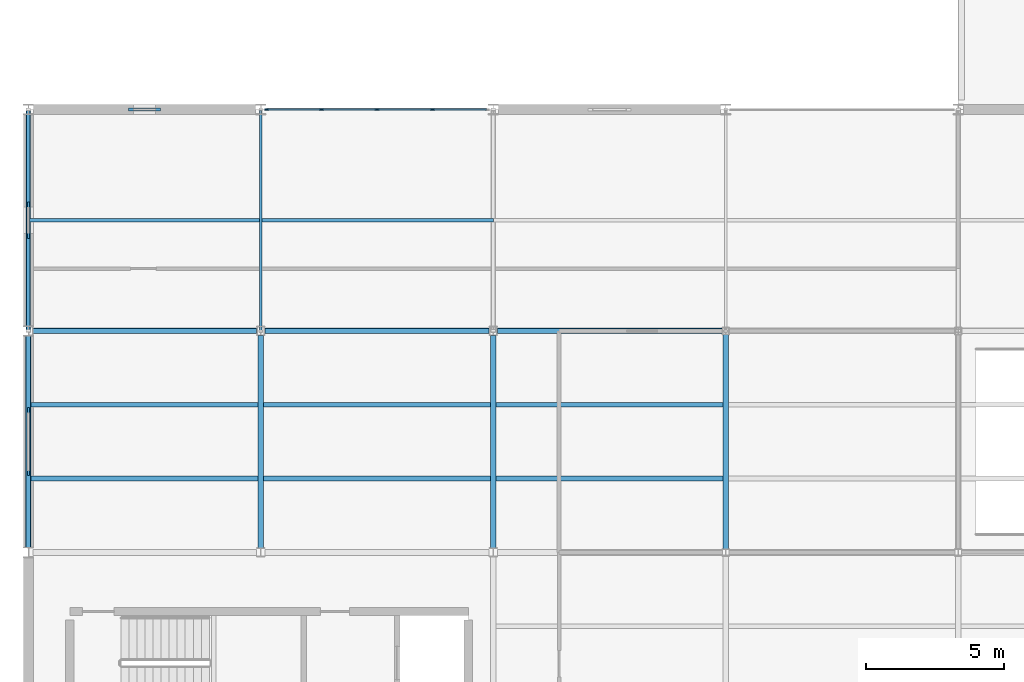
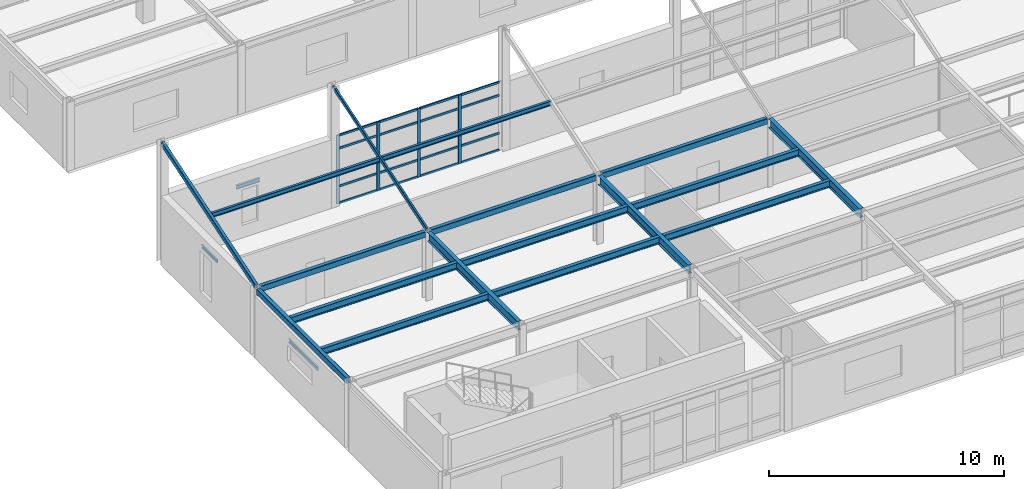
# One storey, part 12 of 96: 24 members, 16 beams, 1 element without a shape of its own.
"""IFC4 building model written with IfcOpenShell, lengths in metres."""

from ifc_helpers import new_model, si_unit, direction, frame, origin, origin_2d, place, context, subcontext, project, spatial, rectangle, hollow_rectangle, i_section, u_section, extrude, material, layer, layer_set, material_profile, profile_set, type_object, element, aggregate, save


model = new_model("IFC4")

# Units and contexts
model_context = context("Model", 3, precision=1e-05, world=origin(), true_north=direction((0.0, 1.0)))
body_context = subcontext(model_context, "Body", "Model", "MODEL_VIEW")
ifc_project = project(units=[si_unit("LENGTHUNIT", "METRE"), si_unit("AREAUNIT", "SQUARE_METRE"), si_unit("VOLUMEUNIT", "CUBIC_METRE"), si_unit("PLANEANGLEUNIT", "RADIAN"), si_unit("MASSUNIT", "GRAM", prefix="KILO")], contexts=[model_context])

# Site, building, storey
site_placement = place(None, origin())
site = spatial("IfcSite", under=ifc_project, at=site_placement, CompositionType="ELEMENT")
building_placement = place(site_placement, origin())
building = spatial("IfcBuilding", under=site, at=building_placement, Name="Kranzveld Transit Interchange", CompositionType="ELEMENT")
storey_placement = place(building_placement, frame((0.0, 0.0, 9.52001953125)))
storey = spatial("IfcBuildingStorey", under=building, at=storey_placement, Name="L02", CompositionType="ELEMENT", Elevation=9.52001953125)

# Beams
ifc_material_1 = material(Name="Steel S355JR", Category="steel")
ifc_material_profile_1 = material_profile(ifc_material_1, i_section(OverallWidth=0.19189453125, OverallDepth=0.46337890625, WebThickness=0.010498046875, FlangeThickness=0.017578125, FilletRadius=0.01025390625, at=origin_2d()), Name="UB 457x191x89")
ifc_profile_set_1 = profile_set([ifc_material_profile_1], Name="Steel S355JR")
beam_type_1 = type_object("IfcBeamType", Name="Beam Steel UB 457x191x89 S355JR", PredefinedType="BEAM", material=ifc_profile_set_1)
for number, where, z_axis, x_axis, name in (
    (1, (8.39990234375, 24.159912109375, 3.33837890625), (0.0, 1.0, 0.0), (-1.0, 0.0, 0.0), "L02 Girder 02/D-E"),
    (2, (16.800048828125, 24.159912109375, 3.33837890625), (0.0, 1.0, 0.0), (-1.0, 0.0, 0.0), "L02 Girder 03/D-E"),
):
    element("IfcBeam", number, at=place(storey_placement, frame(where, z_axis=z_axis, x_axis=x_axis)), inside=storey, type_object=beam_type_1, Name=name, PredefinedType="BEAM", context=body_context, shape_type="SweptSolid", body=[
        extrude(i_section(OverallWidth=0.19189453125, OverallDepth=0.46337890625, WebThickness=0.010498046875, FlangeThickness=0.017578125, FilletRadius=0.01025390625, at=origin_2d()), origin(), (0.0, 0.0, 1.0), 7.68017578125),
    ])
beam_1_placement = place(storey_placement, frame((25.199951171875, 24.123291015625, 3.33837890625), z_axis=(0.0, 1.0, 0.0), x_axis=(-1.0, 0.0, 0.0)))
element("IfcBeam", 3, at=beam_1_placement, inside=storey, type_object=beam_type_1, Name="L02 Girder 04/D-E", PredefinedType="BEAM", context=body_context, shape_type="SweptSolid", body=[
    extrude(i_section(OverallWidth=0.19189453125, OverallDepth=0.46337890625, WebThickness=0.010498046875, FlangeThickness=0.017578125, FilletRadius=0.01025390625, at=origin_2d()), origin(), (0.0, 0.0, 1.0), 7.75341796875),
])

# Curtain wall, members
ifc_material_2 = material(Name="Bronze-anodised thermally broken aluminium", Category="aluminium")
ifc_layer = layer(ifc_material_2, 0.159912109375)
ifc_layer_set = layer_set([ifc_layer], Name="Bronze-anodised thermally broken aluminium")
curtain_wall_type = type_object("IfcCurtainWallType", Name="Bus Boarding Glazed Screen CW-3", PredefinedType="USERDEFINED", material=ifc_layer_set)
curtain_wall_placement = place(storey_placement, origin())
curtain_wall = element("IfcCurtainWall", 4, at=curtain_wall_placement, inside=storey, type_object=curtain_wall_type, Name="L02 Curtain Wall 02/F-03/F", ObjectType="CURTAIN WALL", PredefinedType="USERDEFINED")
ifc_material_3 = material(Name="Bronze-anodised thermally broken aluminium", Category="aluminium")
ifc_material_profile_2 = material_profile(ifc_material_3, rectangle(XDim=0.06005859375, YDim=0.14990234375, at=origin_2d()), Name="ALU MULLION 60x150")
ifc_profile_set_2 = profile_set([ifc_material_profile_2], Name="Bronze-anodised thermally broken aluminium")
member_type_1 = type_object("IfcMemberType", Name="Curtain Wall Mullion 60x150 Alu", PredefinedType="MULLION", material=ifc_profile_set_2)
member_1_placement = place(storey_placement, frame((8.6171875, 40.0, 0.0), z_axis=(0.0, 0.0, 1.0), x_axis=(0.0, 1.0, 0.0)))
member_1 = element("IfcMember", 5, at=member_1_placement, type_object=member_type_1, Name="CW-3 mullion 1", PredefinedType="MULLION", context=body_context, shape_type="SweptSolid", body=[
    extrude(rectangle(XDim=0.06005859375, YDim=0.14990234375, at=origin_2d()), origin(), (0.0, 0.0, 1.0), 3.570068359375),
])
member_2_placement = place(storey_placement, frame((10.59375, 40.0, 0.0), z_axis=(0.0, 0.0, 1.0), x_axis=(0.0, 1.0, 0.0)))
member_2 = element("IfcMember", 6, at=member_2_placement, type_object=member_type_1, Name="CW-3 mullion 2", PredefinedType="MULLION", context=body_context, shape_type="SweptSolid", body=[
    extrude(rectangle(XDim=0.06005859375, YDim=0.14990234375, at=origin_2d()), origin(), (0.0, 0.0, 1.0), 3.570068359375),
])
member_3_placement = place(storey_placement, frame((12.60009765625, 40.0, 0.0), z_axis=(0.0, 0.0, 1.0), x_axis=(0.0, 1.0, 0.0)))
member_3 = element("IfcMember", 7, at=member_3_placement, type_object=member_type_1, Name="CW-3 mullion 3", PredefinedType="MULLION", context=body_context, shape_type="SweptSolid", body=[
    extrude(rectangle(XDim=0.06005859375, YDim=0.14990234375, at=origin_2d()), origin(), (0.0, 0.0, 1.0), 3.570068359375),
])
member_4_placement = place(storey_placement, frame((14.6064453125, 40.0, 0.0), z_axis=(0.0, 0.0, 1.0), x_axis=(0.0, 1.0, 0.0)))
member_4 = element("IfcMember", 8, at=member_4_placement, type_object=member_type_1, Name="CW-3 mullion 4", PredefinedType="MULLION", context=body_context, shape_type="SweptSolid", body=[
    extrude(rectangle(XDim=0.06005859375, YDim=0.14990234375, at=origin_2d()), origin(), (0.0, 0.0, 1.0), 3.570068359375),
])
ifc_material_4 = material(Name="Bronze-anodised thermally broken aluminium", Category="aluminium")
ifc_material_profile_3 = material_profile(ifc_material_4, rectangle(XDim=0.06005859375, YDim=0.110107421875, at=origin_2d()), Name="ALU TRANSOM 60x110")
ifc_profile_set_3 = profile_set([ifc_material_profile_3], Name="Bronze-anodised thermally broken aluminium")
member_type_2 = type_object("IfcMemberType", Name="Curtain Wall Transom 60x110 Alu", PredefinedType="USERDEFINED", material=ifc_profile_set_3)
member_5_placement = place(storey_placement, frame((8.647216796875, 40.0, 0.030029296875), z_axis=(1.0, 0.0, 0.0), x_axis=(0.0, 1.0, 0.0)))
member_5 = element("IfcMember", 9, at=member_5_placement, type_object=member_type_2, Name="CW-3 transom 1.1", ObjectType="TRANSOM", PredefinedType="USERDEFINED", context=body_context, shape_type="SweptSolid", body=[
    extrude(rectangle(XDim=0.06005859375, YDim=0.110107421875, at=origin_2d()), origin(), (0.0, 0.0, 1.0), 1.91650390625),
])
member_6_placement = place(storey_placement, frame((8.647216796875, 40.0, 0.89990234375), z_axis=(1.0, 0.0, 0.0), x_axis=(0.0, 1.0, 0.0)))
member_6 = element("IfcMember", 10, at=member_6_placement, type_object=member_type_2, Name="CW-3 transom 1.2", ObjectType="TRANSOM", PredefinedType="USERDEFINED", context=body_context, shape_type="SweptSolid", body=[
    extrude(rectangle(XDim=0.06005859375, YDim=0.110107421875, at=origin_2d()), origin(), (0.0, 0.0, 1.0), 1.91650390625),
])
member_7_placement = place(storey_placement, frame((8.647216796875, 40.0, 2.869873046875), z_axis=(1.0, 0.0, 0.0), x_axis=(0.0, 1.0, 0.0)))
member_7 = element("IfcMember", 11, at=member_7_placement, type_object=member_type_2, Name="CW-3 transom 1.3", ObjectType="TRANSOM", PredefinedType="USERDEFINED", context=body_context, shape_type="SweptSolid", body=[
    extrude(rectangle(XDim=0.06005859375, YDim=0.110107421875, at=origin_2d()), origin(), (0.0, 0.0, 1.0), 1.91650390625),
])
member_8_placement = place(storey_placement, frame((8.647216796875, 40.0, 3.5400390625), z_axis=(1.0, 0.0, 0.0), x_axis=(0.0, 1.0, 0.0)))
member_8 = element("IfcMember", 12, at=member_8_placement, type_object=member_type_2, Name="CW-3 transom 1.4", ObjectType="TRANSOM", PredefinedType="USERDEFINED", context=body_context, shape_type="SweptSolid", body=[
    extrude(rectangle(XDim=0.06005859375, YDim=0.110107421875, at=origin_2d()), origin(), (0.0, 0.0, 1.0), 1.91650390625),
])
member_9_placement = place(storey_placement, frame((10.62353515625, 40.0, 0.030029296875), z_axis=(1.0, 0.0, 0.0), x_axis=(0.0, 1.0, 0.0)))
member_9 = element("IfcMember", 13, at=member_9_placement, type_object=member_type_2, Name="CW-3 transom 2.1", ObjectType="TRANSOM", PredefinedType="USERDEFINED", context=body_context, shape_type="SweptSolid", body=[
    extrude(rectangle(XDim=0.06005859375, YDim=0.110107421875, at=origin_2d()), origin(), (0.0, 0.0, 1.0), 1.946533203125),
])
member_10_placement = place(storey_placement, frame((10.62353515625, 40.0, 0.89990234375), z_axis=(1.0, 0.0, 0.0), x_axis=(0.0, 1.0, 0.0)))
member_10 = element("IfcMember", 14, at=member_10_placement, type_object=member_type_2, Name="CW-3 transom 2.2", ObjectType="TRANSOM", PredefinedType="USERDEFINED", context=body_context, shape_type="SweptSolid", body=[
    extrude(rectangle(XDim=0.06005859375, YDim=0.110107421875, at=origin_2d()), origin(), (0.0, 0.0, 1.0), 1.946533203125),
])
member_11_placement = place(storey_placement, frame((10.62353515625, 40.0, 2.869873046875), z_axis=(1.0, 0.0, 0.0), x_axis=(0.0, 1.0, 0.0)))
member_11 = element("IfcMember", 15, at=member_11_placement, type_object=member_type_2, Name="CW-3 transom 2.3", ObjectType="TRANSOM", PredefinedType="USERDEFINED", context=body_context, shape_type="SweptSolid", body=[
    extrude(rectangle(XDim=0.06005859375, YDim=0.110107421875, at=origin_2d()), origin(), (0.0, 0.0, 1.0), 1.946533203125),
])
member_12_placement = place(storey_placement, frame((10.62353515625, 40.0, 3.5400390625), z_axis=(1.0, 0.0, 0.0), x_axis=(0.0, 1.0, 0.0)))
member_12 = element("IfcMember", 16, at=member_12_placement, type_object=member_type_2, Name="CW-3 transom 2.4", ObjectType="TRANSOM", PredefinedType="USERDEFINED", context=body_context, shape_type="SweptSolid", body=[
    extrude(rectangle(XDim=0.06005859375, YDim=0.110107421875, at=origin_2d()), origin(), (0.0, 0.0, 1.0), 1.946533203125),
])
member_13_placement = place(storey_placement, frame((12.6298828125, 40.0, 0.030029296875), z_axis=(1.0, 0.0, 0.0), x_axis=(0.0, 1.0, 0.0)))
member_13 = element("IfcMember", 17, at=member_13_placement, type_object=member_type_2, Name="CW-3 transom 3.1", ObjectType="TRANSOM", PredefinedType="USERDEFINED", context=body_context, shape_type="SweptSolid", body=[
    extrude(rectangle(XDim=0.06005859375, YDim=0.110107421875, at=origin_2d()), origin(), (0.0, 0.0, 1.0), 1.946533203125),
])
member_14_placement = place(storey_placement, frame((12.6298828125, 40.0, 0.89990234375), z_axis=(1.0, 0.0, 0.0), x_axis=(0.0, 1.0, 0.0)))
member_14 = element("IfcMember", 18, at=member_14_placement, type_object=member_type_2, Name="CW-3 transom 3.2", ObjectType="TRANSOM", PredefinedType="USERDEFINED", context=body_context, shape_type="SweptSolid", body=[
    extrude(rectangle(XDim=0.06005859375, YDim=0.110107421875, at=origin_2d()), origin(), (0.0, 0.0, 1.0), 1.946533203125),
])
member_15_placement = place(storey_placement, frame((12.6298828125, 40.0, 2.869873046875), z_axis=(1.0, 0.0, 0.0), x_axis=(0.0, 1.0, 0.0)))
member_15 = element("IfcMember", 19, at=member_15_placement, type_object=member_type_2, Name="CW-3 transom 3.3", ObjectType="TRANSOM", PredefinedType="USERDEFINED", context=body_context, shape_type="SweptSolid", body=[
    extrude(rectangle(XDim=0.06005859375, YDim=0.110107421875, at=origin_2d()), origin(), (0.0, 0.0, 1.0), 1.946533203125),
])
member_16_placement = place(storey_placement, frame((12.6298828125, 40.0, 3.5400390625), z_axis=(1.0, 0.0, 0.0), x_axis=(0.0, 1.0, 0.0)))
member_16 = element("IfcMember", 20, at=member_16_placement, type_object=member_type_2, Name="CW-3 transom 3.4", ObjectType="TRANSOM", PredefinedType="USERDEFINED", context=body_context, shape_type="SweptSolid", body=[
    extrude(rectangle(XDim=0.06005859375, YDim=0.110107421875, at=origin_2d()), origin(), (0.0, 0.0, 1.0), 1.946533203125),
])
member_17_placement = place(storey_placement, frame((14.63623046875, 40.0, 0.030029296875), z_axis=(1.0, 0.0, 0.0), x_axis=(0.0, 1.0, 0.0)))
member_17 = element("IfcMember", 21, at=member_17_placement, type_object=member_type_2, Name="CW-3 transom 4.1", ObjectType="TRANSOM", PredefinedType="USERDEFINED", context=body_context, shape_type="SweptSolid", body=[
    extrude(rectangle(XDim=0.06005859375, YDim=0.110107421875, at=origin_2d()), origin(), (0.0, 0.0, 1.0), 1.91650390625),
])
member_18_placement = place(storey_placement, frame((14.63623046875, 40.0, 0.89990234375), z_axis=(1.0, 0.0, 0.0), x_axis=(0.0, 1.0, 0.0)))
member_18 = element("IfcMember", 22, at=member_18_placement, type_object=member_type_2, Name="CW-3 transom 4.2", ObjectType="TRANSOM", PredefinedType="USERDEFINED", context=body_context, shape_type="SweptSolid", body=[
    extrude(rectangle(XDim=0.06005859375, YDim=0.110107421875, at=origin_2d()), origin(), (0.0, 0.0, 1.0), 1.91650390625),
])
member_19_placement = place(storey_placement, frame((14.63623046875, 40.0, 2.869873046875), z_axis=(1.0, 0.0, 0.0), x_axis=(0.0, 1.0, 0.0)))
member_19 = element("IfcMember", 23, at=member_19_placement, type_object=member_type_2, Name="CW-3 transom 4.3", ObjectType="TRANSOM", PredefinedType="USERDEFINED", context=body_context, shape_type="SweptSolid", body=[
    extrude(rectangle(XDim=0.06005859375, YDim=0.110107421875, at=origin_2d()), origin(), (0.0, 0.0, 1.0), 1.91650390625),
])
member_20_placement = place(storey_placement, frame((14.63623046875, 40.0, 3.5400390625), z_axis=(1.0, 0.0, 0.0), x_axis=(0.0, 1.0, 0.0)))
member_20 = element("IfcMember", 24, at=member_20_placement, type_object=member_type_2, Name="CW-3 transom 4.4", ObjectType="TRANSOM", PredefinedType="USERDEFINED", context=body_context, shape_type="SweptSolid", body=[
    extrude(rectangle(XDim=0.06005859375, YDim=0.110107421875, at=origin_2d()), origin(), (0.0, 0.0, 1.0), 1.91650390625),
])
aggregate(curtain_wall, [member_1, member_2, member_3, member_4, member_5, member_6, member_7, member_8, member_9, member_10, member_11, member_12, member_13, member_14, member_15, member_16, member_17, member_18, member_19, member_20])

# Beams
ifc_material_5 = material(Name="Steel S355JR", Category="steel")
ifc_material_profile_4 = material_profile(ifc_material_5, hollow_rectangle(XDim=0.199951171875, YDim=0.300048828125, WallThickness=0.010009765625, InnerFilletRadius=0.014892578125, OuterFilletRadius=0.02490234375, at=origin_2d()), Name="RHS 300x200x10")
ifc_profile_set_4 = profile_set([ifc_material_profile_4], Name="Steel S355JR")
beam_type_2 = type_object("IfcBeamType", Name="Edge Spandrel RHS 300x200x10 S355JR", PredefinedType="SPANDREL", material=ifc_profile_set_4)
beam_2_placement = place(storey_placement, frame((0.17724609375, 32.0, 3.419921875), z_axis=(1.0, 0.0, 0.0), x_axis=(0.0, 1.0, 0.0)))
element("IfcBeam", 25, at=beam_2_placement, inside=storey, type_object=beam_type_2, Name="L02 Girder 01-02/E", PredefinedType="SPANDREL", context=body_context, shape_type="SweptSolid", body=[
    extrude(hollow_rectangle(XDim=0.199951171875, YDim=0.300048828125, WallThickness=0.010009765625, InnerFilletRadius=0.014892578125, OuterFilletRadius=0.02490234375, at=origin_2d()), origin(), (0.0, 0.0, 1.0), 8.075439453125),
])
beam_3_placement = place(storey_placement, frame((8.547119140625, 32.0, 3.419921875), z_axis=(1.0, 0.0, 0.0), x_axis=(0.0, 1.0, 0.0)))
element("IfcBeam", 26, at=beam_3_placement, inside=storey, type_object=beam_type_2, Name="L02 Girder 02-03/E", PredefinedType="SPANDREL", context=body_context, shape_type="SweptSolid", body=[
    extrude(hollow_rectangle(XDim=0.199951171875, YDim=0.300048828125, WallThickness=0.010009765625, InnerFilletRadius=0.014892578125, OuterFilletRadius=0.02490234375, at=origin_2d()), origin(), (0.0, 0.0, 1.0), 8.105712890625),
])
beam_4_placement = place(storey_placement, frame((16.947265625, 32.0, 3.419921875), z_axis=(1.0, 0.0, 0.0), x_axis=(0.0, 1.0, 0.0)))
element("IfcBeam", 27, at=beam_4_placement, inside=storey, type_object=beam_type_2, Name="L02 Girder 03-04/E", PredefinedType="SPANDREL", context=body_context, shape_type="SweptSolid", body=[
    extrude(hollow_rectangle(XDim=0.199951171875, YDim=0.300048828125, WallThickness=0.010009765625, InnerFilletRadius=0.014892578125, OuterFilletRadius=0.02490234375, at=origin_2d()), origin(), (0.0, 0.0, 1.0), 8.13330078125),
])
beam_5_placement = place(storey_placement, frame((0.0, 24.17724609375, 3.419921875), z_axis=(0.0, 1.0, 0.0), x_axis=(-1.0, 0.0, 0.0)))
element("IfcBeam", 28, at=beam_5_placement, inside=storey, type_object=beam_type_2, Name="L02 Girder 01/D-E", PredefinedType="SPANDREL", context=body_context, shape_type="SweptSolid", body=[
    extrude(hollow_rectangle(XDim=0.199951171875, YDim=0.300048828125, WallThickness=0.010009765625, InnerFilletRadius=0.014892578125, OuterFilletRadius=0.02490234375, at=origin_2d()), origin(), (0.0, 0.0, 1.0), 7.6455078125),
])
ifc_material_6 = material(Name="Steel S355JR", Category="steel")
ifc_material_profile_5 = material_profile(ifc_material_6, i_section(OverallWidth=0.171142578125, OverallDepth=0.351318359375, WebThickness=0.007080078125, FlangeThickness=0.009765625, FilletRadius=0.01025390625, at=origin_2d()), Name="UB 356x171x45")
ifc_profile_set_5 = profile_set([ifc_material_profile_5], Name="Steel S355JR")
beam_type_3 = type_object("IfcBeamType", Name="Floor Joist UB 356x171x45 S355JR", PredefinedType="JOIST", material=ifc_profile_set_5)
for number, where, z_axis, x_axis, name in (
    (29, (0.10205078125, 26.666748046875, 3.394287109375), (1.0, 0.0, 0.0), (0.0, 1.0, 0.0), "L02 Secondary Joist 01-02/D.1"),
    (30, (0.10205078125, 29.333251953125, 3.394287109375), (1.0, 0.0, 0.0), (0.0, 1.0, 0.0), "L02 Secondary Joist 01-02/D.2"),
):
    element("IfcBeam", number, at=place(storey_placement, frame(where, z_axis=z_axis, x_axis=x_axis)), inside=storey, type_object=beam_type_3, Name=name, PredefinedType="JOIST", context=body_context, shape_type="SweptSolid", body=[
        extrude(i_section(OverallWidth=0.171142578125, OverallDepth=0.351318359375, WebThickness=0.007080078125, FlangeThickness=0.009765625, FilletRadius=0.01025390625, at=origin_2d()), origin(), (0.0, 0.0, 1.0), 8.199951171875),
    ])
for number, where, z_axis, x_axis, name in (
    (31, (8.498046875, 26.666748046875, 3.394287109375), (1.0, 0.0, 0.0), (0.0, 1.0, 0.0), "L02 Secondary Joist 02-03/D.1"),
    (32, (8.498046875, 29.333251953125, 3.394287109375), (1.0, 0.0, 0.0), (0.0, 1.0, 0.0), "L02 Secondary Joist 02-03/D.2"),
    (33, (16.89794921875, 26.666748046875, 3.394287109375), (1.0, 0.0, 0.0), (0.0, 1.0, 0.0), "L02 Secondary Joist 03-04/D.1"),
    (34, (16.89794921875, 29.333251953125, 3.394287109375), (1.0, 0.0, 0.0), (0.0, 1.0, 0.0), "L02 Secondary Joist 03-04/D.2"),
):
    element("IfcBeam", number, at=place(storey_placement, frame(where, z_axis=z_axis, x_axis=x_axis)), inside=storey, type_object=beam_type_3, Name=name, PredefinedType="JOIST", context=body_context, shape_type="SweptSolid", body=[
        extrude(i_section(OverallWidth=0.171142578125, OverallDepth=0.351318359375, WebThickness=0.007080078125, FlangeThickness=0.009765625, FilletRadius=0.01025390625, at=origin_2d()), origin(), (0.0, 0.0, 1.0), 8.2041015625),
    ])
ifc_material_7 = material(Name="Steel S355JR", Category="steel")
ifc_material_profile_6 = material_profile(ifc_material_7, u_section(Depth=0.179931640625, FlangeWidth=0.070068359375, WebThickness=0.007080078125, FlangeThickness=0.010986328125, FilletRadius=0.010009765625, at=origin_2d()), Name="PFC 180x70x22")
ifc_profile_set_6 = profile_set([ifc_material_profile_6], Name="Steel S355JR")
beam_type_4 = type_object("IfcBeamType", Name="Masonry Lintel PFC 180x70x22 S355JR", PredefinedType="LINTEL", material=ifc_profile_set_6)
beam_6_placement = place(storey_placement, frame((0.0, 35.344970703125, 2.844970703125), z_axis=(0.0, 1.0, 0.0), x_axis=(-1.0, 0.0, 0.0)))
element("IfcBeam", 35, at=beam_6_placement, inside=storey, type_object=beam_type_4, Name="L02 Window Lintel 117", PredefinedType="LINTEL", context=body_context, shape_type="SweptSolid", body=[
    extrude(u_section(Depth=0.179931640625, FlangeWidth=0.070068359375, WebThickness=0.007080078125, FlangeThickness=0.010986328125, FilletRadius=0.010009765625, at=origin_2d()), origin(), (0.0, 0.0, 1.0), 1.31005859375),
])
ifc_material_8 = material(Name="Steel S355JR", Category="steel")
ifc_material_profile_7 = material_profile(ifc_material_8, u_section(Depth=0.199951171875, FlangeWidth=0.074951171875, WebThickness=0.006103515625, FlangeThickness=0.012451171875, FilletRadius=0.011962890625, at=origin_2d()), Name="PFC 200x75x23")
ifc_profile_set_7 = profile_set([ifc_material_profile_7], Name="Steel S355JR")
beam_type_5 = type_object("IfcBeamType", Name="Masonry Lintel PFC 200x75x23 S355JR", PredefinedType="LINTEL", material=ifc_profile_set_7)
beam_7_placement = place(storey_placement, frame((0.0, 26.77001953125, 2.455078125), z_axis=(0.0, 1.0, 0.0), x_axis=(-1.0, 0.0, 0.0)))
element("IfcBeam", 36, at=beam_7_placement, inside=storey, type_object=beam_type_5, Name="L02 Window Lintel 116", PredefinedType="LINTEL", context=body_context, shape_type="SweptSolid", body=[
    extrude(u_section(Depth=0.199951171875, FlangeWidth=0.074951171875, WebThickness=0.006103515625, FlangeThickness=0.012451171875, FilletRadius=0.011962890625, at=origin_2d()), origin(), (0.0, 0.0, 1.0), 2.4599609375),
])
ifc_material_9 = material(Name="Steel S355JR", Category="steel")
ifc_material_profile_8 = material_profile(ifc_material_9, i_section(OverallWidth=0.10009765625, OverallDepth=0.199951171875, WebThickness=0.005615234375, FlangeThickness=0.008544921875, FilletRadius=0.011962890625, at=origin_2d()), Name="IPE 200")
ifc_profile_set_8 = profile_set([ifc_material_profile_8], Name="Steel S355JR")
beam_type_6 = type_object("IfcBeamType", Name="Opening Lintel IPE 200 S355JR", PredefinedType="LINTEL", material=ifc_profile_set_8)
beam_8_placement = place(storey_placement, frame((3.6201171875, 40.0, 2.60498046875), z_axis=(1.0, 0.0, 0.0), x_axis=(0.0, 1.0, 0.0)))
element("IfcBeam", 37, at=beam_8_placement, inside=storey, type_object=beam_type_6, Name="L02 Window Lintel 118", PredefinedType="LINTEL", context=body_context, shape_type="SweptSolid", body=[
    extrude(i_section(OverallWidth=0.10009765625, OverallDepth=0.199951171875, WebThickness=0.005615234375, FlangeThickness=0.008544921875, FilletRadius=0.011962890625, at=origin_2d()), origin(), (0.0, 0.0, 1.0), 1.159912109375),
])

# Members
ifc_material_10 = material(Name="Steel S355JR", Category="steel")
ifc_material_profile_9 = material_profile(ifc_material_10, i_section(OverallWidth=0.1201171875, OverallDepth=0.239990234375, WebThickness=0.006103515625, FlangeThickness=0.009765625, FilletRadius=0.014892578125, at=origin_2d()), Name="IPE 240")
ifc_profile_set_9 = profile_set([ifc_material_profile_9], Name="Steel S355JR")
member_type_3 = type_object("IfcMemberType", Name="Roof Purlin IPE 240 S355JR", PredefinedType="PURLIN", material=ifc_profile_set_9)
member_21_placement = place(storey_placement, frame((0.0, 36.0, 4.820068359375), z_axis=(1.0, 0.0, 0.0), x_axis=(0.0, 1.0, 0.0)))
element("IfcMember", 38, at=member_21_placement, inside=storey, type_object=member_type_3, Name="Sawtooth Roof Purlin 01/E", PredefinedType="PURLIN", context=body_context, shape_type="SweptSolid", body=[
    extrude(i_section(OverallWidth=0.1201171875, OverallDepth=0.239990234375, WebThickness=0.006103515625, FlangeThickness=0.009765625, FilletRadius=0.014892578125, at=origin_2d()), origin(), (0.0, 0.0, 1.0), 8.39990234375),
])
member_22_placement = place(storey_placement, frame((8.39990234375, 36.0, 4.820068359375), z_axis=(1.0, 0.0, 0.0), x_axis=(0.0, 1.0, 0.0)))
element("IfcMember", 39, at=member_22_placement, inside=storey, type_object=member_type_3, Name="Sawtooth Roof Purlin 02/E", PredefinedType="PURLIN", context=body_context, shape_type="SweptSolid", body=[
    extrude(i_section(OverallWidth=0.1201171875, OverallDepth=0.239990234375, WebThickness=0.006103515625, FlangeThickness=0.009765625, FilletRadius=0.014892578125, at=origin_2d()), origin(), (0.0, 0.0, 1.0), 8.400146484375),
])
ifc_material_11 = material(Name="Steel S355JR", Category="steel")
ifc_material_profile_10 = material_profile(ifc_material_11, hollow_rectangle(XDim=0.10009765625, YDim=0.199951171875, WallThickness=0.008056640625, InnerFilletRadius=0.011962890625, OuterFilletRadius=0.02001953125, at=origin_2d()), Name="RHS 200x100x8")
ifc_profile_set_10 = profile_set([ifc_material_profile_10], Name="Steel S355JR")
member_type_4 = type_object("IfcMemberType", Name="Truss Chord RHS 200x100x8 S355JR", PredefinedType="CHORD", material=ifc_profile_set_10)
member_23_placement = place(storey_placement, frame((8.39990234375, 32.0, 3.56005859375), z_axis=(0.0, 0.951039187484, 0.309070321885), x_axis=(-1.0, 0.0, 0.0)))
element("IfcMember", 40, at=member_23_placement, inside=storey, type_object=member_type_4, Name="Sawtooth Rafter Chord 02/E", PredefinedType="CHORD", context=body_context, shape_type="SweptSolid", body=[
    extrude(hollow_rectangle(XDim=0.10009765625, YDim=0.199951171875, WallThickness=0.008056640625, InnerFilletRadius=0.011962890625, OuterFilletRadius=0.02001953125, at=origin_2d()), origin(), (0.0, 0.0, 1.0), 8.411865234375),
])
ifc_material_12 = material(Name="Steel S355JR", Category="steel")
ifc_material_profile_11 = material_profile(ifc_material_12, hollow_rectangle(XDim=0.14990234375, YDim=0.25, WallThickness=0.008056640625, InnerFilletRadius=0.011962890625, OuterFilletRadius=0.02001953125, at=origin_2d()), Name="RHS 250x150x8")
ifc_profile_set_11 = profile_set([ifc_material_profile_11], Name="Steel S355JR")
member_type_5 = type_object("IfcMemberType", Name="Truss Chord RHS 250x150x8 S355JR", PredefinedType="CHORD", material=ifc_profile_set_11)
member_24_placement = place(storey_placement, frame((0.0, 32.0, 3.56005859375), z_axis=(0.0, 0.951039187484, 0.309070321885), x_axis=(-1.0, 0.0, 0.0)))
element("IfcMember", 41, at=member_24_placement, inside=storey, type_object=member_type_5, Name="Sawtooth Rafter Chord 01/E", PredefinedType="CHORD", context=body_context, shape_type="SweptSolid", body=[
    extrude(hollow_rectangle(XDim=0.14990234375, YDim=0.25, WallThickness=0.008056640625, InnerFilletRadius=0.011962890625, OuterFilletRadius=0.02001953125, at=origin_2d()), origin(), (0.0, 0.0, 1.0), 8.411865234375),
])

save(model, "model.ifc")
